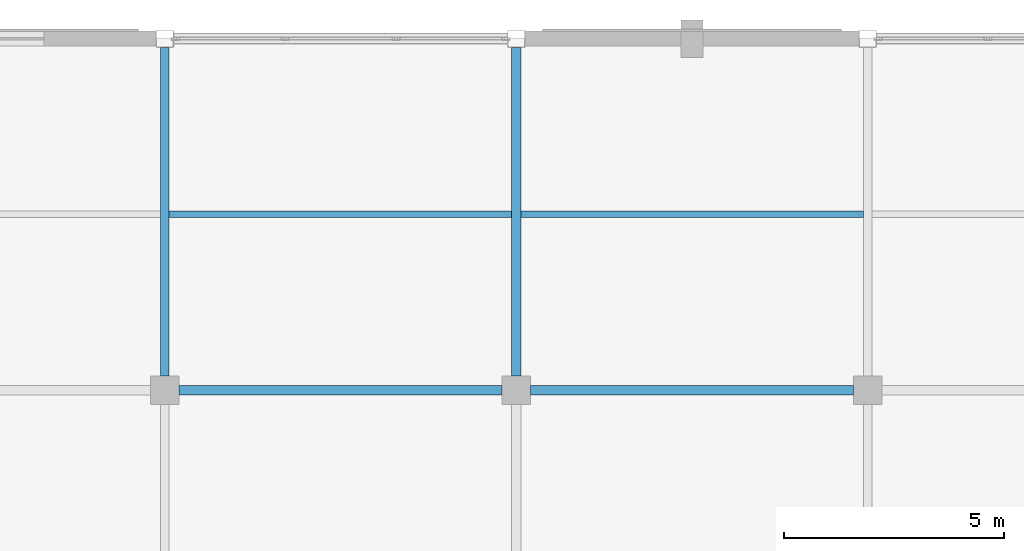
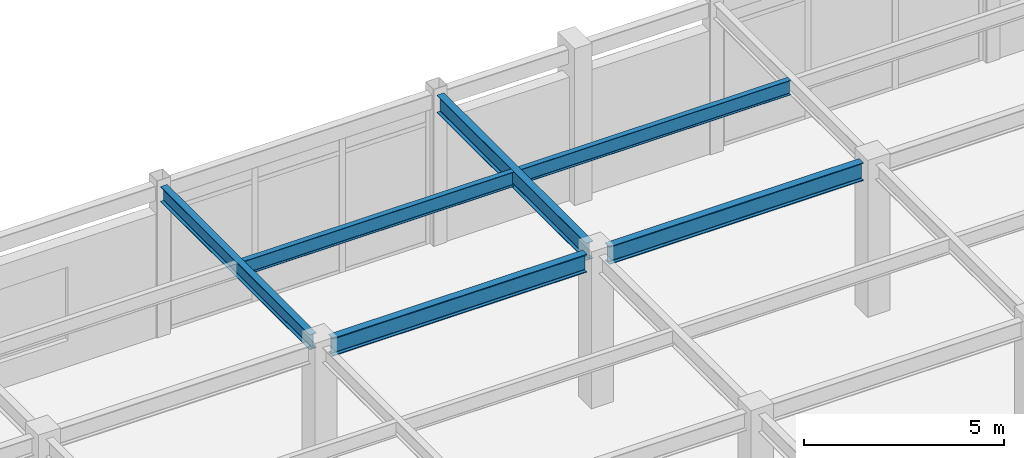
# One storey, part 62 of 117: 6 beams.
"""IFC4 building model written with IfcOpenShell, lengths in metres."""

from ifc_helpers import new_model, si_unit, direction, frame, origin, origin_2d, place, context, subcontext, project, spatial, i_section, extrude, material, material_profile, profile_set, type_object, element, save


model = new_model("IFC4")

# Units and contexts
model_context = context("Model", 3, precision=1e-05, world=origin(), true_north=direction((0.0, 1.0)))
body_context = subcontext(model_context, "Body", "Model", "MODEL_VIEW")
ifc_project = project(units=[si_unit("LENGTHUNIT", "METRE"), si_unit("AREAUNIT", "SQUARE_METRE"), si_unit("VOLUMEUNIT", "CUBIC_METRE"), si_unit("PLANEANGLEUNIT", "RADIAN"), si_unit("MASSUNIT", "GRAM", prefix="KILO")], contexts=[model_context])

# Site, building, storey
site_placement = place(None, origin())
site = spatial("IfcSite", under=ifc_project, at=site_placement, CompositionType="ELEMENT")
building_placement = place(site_placement, origin())
building = spatial("IfcBuilding", under=site, at=building_placement, Name="Solmirada Galleria", CompositionType="ELEMENT")
storey_placement = place(building_placement, frame((0.0, 0.0, 5.60009765625)))
storey = spatial("IfcBuildingStorey", under=building, at=storey_placement, Name="L01", CompositionType="ELEMENT", Elevation=5.60009765625)

# Beams
ifc_material = material(Name="Steel S355 / ASTM A992 Grade 50", Category="steel")
ifc_material_profile_1 = material_profile(ifc_material, i_section(OverallWidth=0.194091796875, OverallDepth=0.468994140625, WebThickness=0.0126953125, FlangeThickness=0.0205078125, FilletRadius=0.013916015625, at=origin_2d()), Name="W18X71")
ifc_profile_set_1 = profile_set([ifc_material_profile_1], Name="Steel S355 / ASTM A992 Grade 50")
beam_type_1 = type_object("IfcBeamType", Name="BM-GIRD-W18B", PredefinedType="BEAM", material=ifc_profile_set_1)
beam_1_placement = place(storey_placement, frame((88.0, 112.324951171875, 4.365478515625), z_axis=(0.0, 1.0, 0.0), x_axis=(-1.0, 0.0, 0.0)))
element("IfcBeam", 1, at=beam_1_placement, inside=storey, type_object=beam_type_1, Name="Primary girder L02 Y(88, 112..120)", PredefinedType="BEAM", context=body_context, shape_type="SweptSolid", body=[
    extrude(i_section(OverallWidth=0.194091796875, OverallDepth=0.468994140625, WebThickness=0.0126953125, FlangeThickness=0.0205078125, FilletRadius=0.013916015625, at=origin_2d()), origin(), (0.0, 0.0, 1.0), 7.47216796875),
])
ifc_material_profile_2 = material_profile(ifc_material, i_section(OverallWidth=0.214111328125, OverallDepth=0.549072265625, WebThickness=0.0146484375, FlangeThickness=0.023681640625, FilletRadius=0.014892578125, at=origin_2d()), Name="W21X93")
ifc_profile_set_2 = profile_set([ifc_material_profile_2], Name="Steel S355 / ASTM A992 Grade 50")
beam_type_2 = type_object("IfcBeamType", Name="BM-GIRD-W21A", PredefinedType="BEAM", material=ifc_profile_set_2)
for number, where, z_axis, x_axis, name in (
    (2, (88.324951171875, 112.0, 4.325439453125), (1.0, 0.0, 0.0), (0.0, 1.0, 0.0), "Primary beam L02 X(88..96, 112)"),
    (3, (96.324951171875, 112.0, 4.325439453125), (1.0, 0.0, 0.0), (0.0, 1.0, 0.0), "Primary beam L02 X(96..104, 112)"),
):
    element("IfcBeam", number, at=place(storey_placement, frame(where, z_axis=z_axis, x_axis=x_axis)), inside=storey, type_object=beam_type_2, Name=name, PredefinedType="BEAM", context=body_context, shape_type="SweptSolid", body=[
        extrude(i_section(OverallWidth=0.214111328125, OverallDepth=0.549072265625, WebThickness=0.0146484375, FlangeThickness=0.023681640625, FilletRadius=0.014892578125, at=origin_2d()), origin(), (0.0, 0.0, 1.0), 7.35009765625),
    ])
ifc_material_profile_3 = material_profile(ifc_material, i_section(OverallWidth=0.2099609375, OverallDepth=0.537109375, WebThickness=0.010986328125, FlangeThickness=0.017333984375, FilletRadius=0.014892578125, at=origin_2d()), Name="W21X68")
ifc_profile_set_3 = profile_set([ifc_material_profile_3], Name="Steel S355 / ASTM A992 Grade 50")
beam_type_3 = type_object("IfcBeamType", Name="BM-GIRD-W21B", PredefinedType="BEAM", material=ifc_profile_set_3)
beam_2_placement = place(storey_placement, frame((96.0, 112.324951171875, 4.331298828125), z_axis=(0.0, 1.0, 0.0), x_axis=(-1.0, 0.0, 0.0)))
element("IfcBeam", 4, at=beam_2_placement, inside=storey, type_object=beam_type_3, Name="Primary girder L02 Y(96, 112..120)", PredefinedType="BEAM", context=body_context, shape_type="SweptSolid", body=[
    extrude(i_section(OverallWidth=0.2099609375, OverallDepth=0.537109375, WebThickness=0.010986328125, FlangeThickness=0.017333984375, FilletRadius=0.014892578125, at=origin_2d()), origin(), (0.0, 0.0, 1.0), 7.47216796875),
])
ifc_material_profile_4 = material_profile(ifc_material, i_section(OverallWidth=0.152099609375, OverallDepth=0.449951171875, WebThickness=0.007568359375, FlangeThickness=0.0107421875, FilletRadius=0.011962890625, at=origin_2d()), Name="W18X35")
ifc_profile_set_4 = profile_set([ifc_material_profile_4], Name="Steel S355 / ASTM A992 Grade 50")
beam_type_4 = type_object("IfcBeamType", Name="BM-JST-W18B", PredefinedType="JOIST", material=ifc_profile_set_4)
for number, where, z_axis, x_axis, name in (
    (5, (88.096923828125, 116.0, 4.375), (1.0, 0.0, 0.0), (0.0, 1.0, 0.0), "Composite floor joist L02 (88..96, 116.0)"),
    (6, (96.10498046875, 116.0, 4.375), (1.0, 0.0, 0.0), (0.0, 1.0, 0.0), "Composite floor joist L02 (96..104, 116.0)"),
):
    element("IfcBeam", number, at=place(storey_placement, frame(where, z_axis=z_axis, x_axis=x_axis)), inside=storey, type_object=beam_type_4, Name=name, PredefinedType="JOIST", context=body_context, shape_type="SweptSolid", body=[
        extrude(i_section(OverallWidth=0.152099609375, OverallDepth=0.449951171875, WebThickness=0.007568359375, FlangeThickness=0.0107421875, FilletRadius=0.011962890625, at=origin_2d()), origin(), (0.0, 0.0, 1.0), 7.798095703125),
    ])

save(model, "model.ifc")
